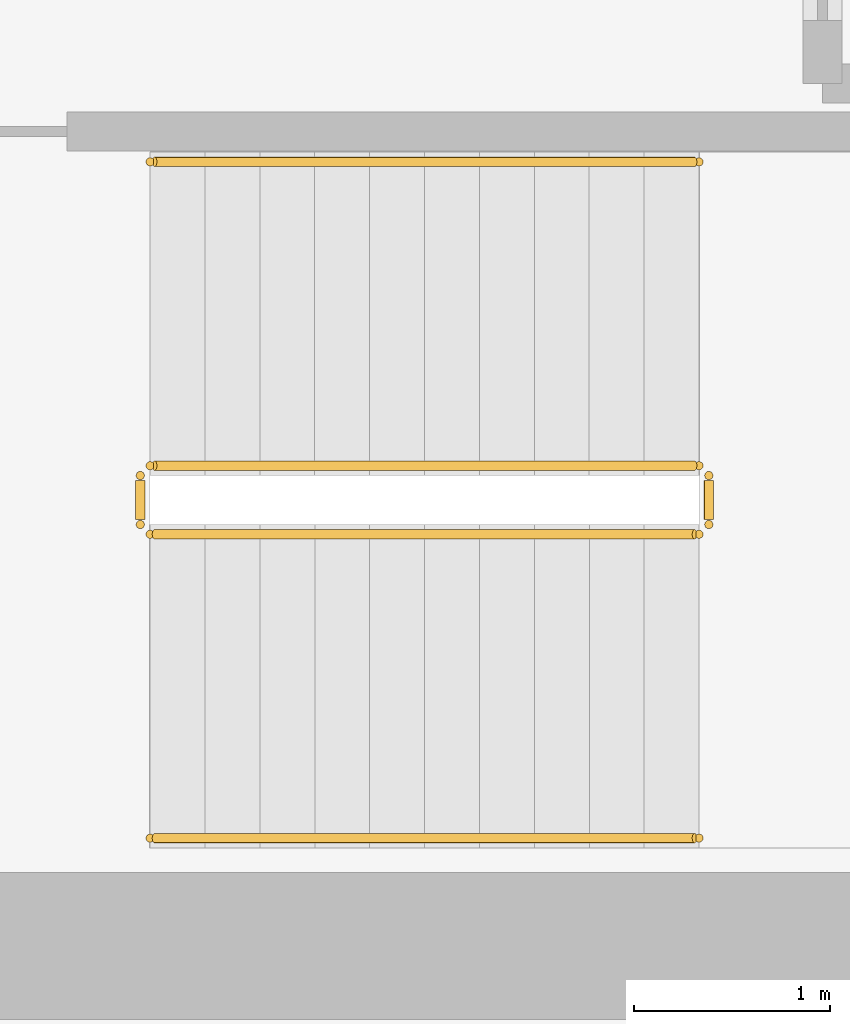
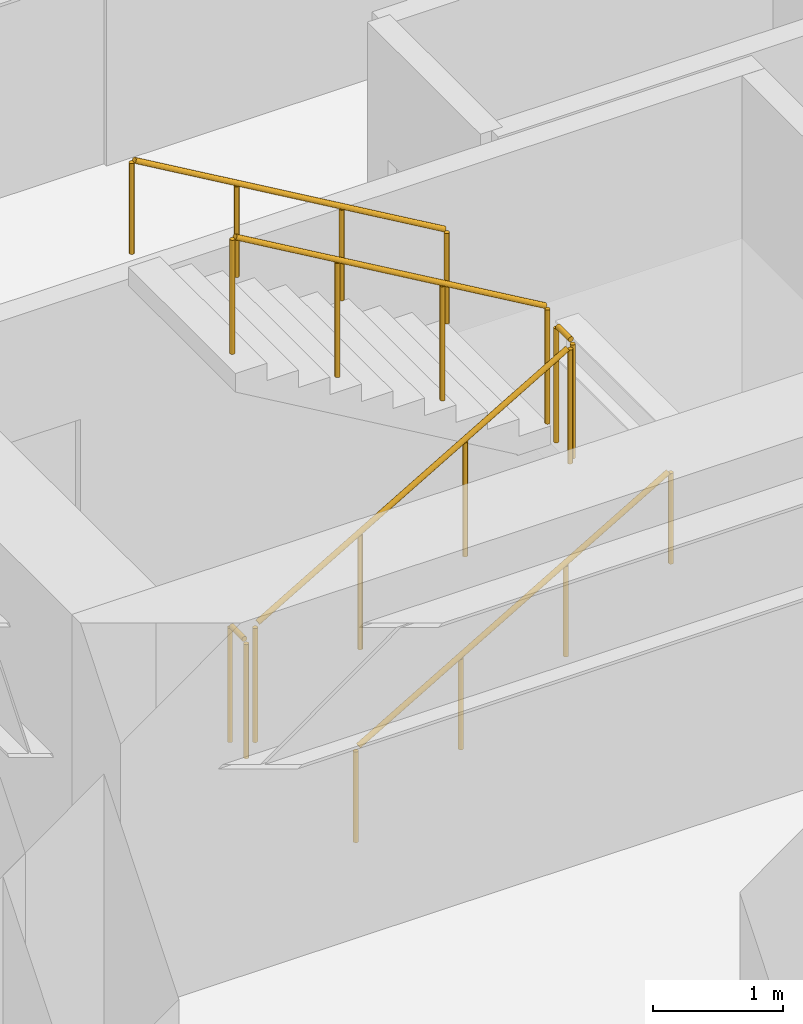
# One storey, part 12 of 12: 6 railings.
"""IFC4 building model written with IfcOpenShell, lengths in metres."""

from ifc_helpers import new_model, si_unit, direction, frame, origin, origin_2d, place, context, subcontext, project, spatial, circle, extrude, source, transform, mapped, material, layer, layer_set, type_object, element, save


model = new_model("IFC4")

# Units and contexts
model_context = context("Model", 3, precision=1e-05, world=origin(), true_north=direction((0.0, 1.0)))
body_context = subcontext(model_context, "Body", "Model", "MODEL_VIEW")
ifc_project = project(units=[si_unit("LENGTHUNIT", "METRE"), si_unit("AREAUNIT", "SQUARE_METRE"), si_unit("VOLUMEUNIT", "CUBIC_METRE"), si_unit("PLANEANGLEUNIT", "RADIAN"), si_unit("MASSUNIT", "GRAM", prefix="KILO")], contexts=[model_context])

# Site, building, storey
site_placement = place(None, origin())
site = spatial("IfcSite", under=ifc_project, at=site_placement, CompositionType="ELEMENT")
building_placement = place(site_placement, origin())
building = spatial("IfcBuilding", under=site, at=building_placement, Name="Kharzan Plaza Tower", CompositionType="ELEMENT")
storey_placement = place(building_placement, frame((0.0, 0.0, 135.0)))
storey = spatial("IfcBuildingStorey", under=building, at=storey_placement, Name="L36", CompositionType="ELEMENT", Elevation=135.0)

# Railings
ifc_material_1 = material(Name="Painted Galvanized Architectural Steel", Category="steel")
ifc_layer_1 = layer(ifc_material_1, 0.074951171875)
ifc_layer_set_1 = layer_set([ifc_layer_1], Name="Painted Galvanized Architectural Steel")
railing_type_1 = type_object("IfcRailingType", Name="RL-GUARD-1120", PredefinedType="BALUSTRADE", material=ifc_layer_set_1)
shared_shape_1 = source(origin(), body_context, "Body", "SweptSolid", [
    extrude(circle(Radius=0.02392578125, at=origin_2d()), frame((0.0, 0.0263671875, 1.09619140625), z_axis=(0.0, 1.0, 0.0), x_axis=(-1.0, 0.0, 0.0)), (0.0, 0.0, 1.0), 0.197021484375),
    extrude(circle(Radius=0.02099609375, at=origin_2d()), origin(), (0.0, 0.0, 1.0), 1.072021484375),
    extrude(circle(Radius=0.02099609375, at=origin_2d()), frame((0.0, 0.25, 0.0)), (0.0, 0.0, 1.0), 1.072021484375),
])
for number, where, name in (
    (1, (41.10009765625, 6.64990234375, 1.800048828125), "L36 ST-3 stair guard 2"),
    (2, (38.199951171875, 6.64990234375, 0.0), "L36 ST-3 stair guard 4"),
):
    element("IfcRailing", number, at=place(storey_placement, frame(where)), inside=storey, type_object=railing_type_1, Name=name, PredefinedType="BALUSTRADE", context=body_context, shape_type="MappedRepresentation", body=[
        mapped(shared_shape_1, transform((0.0, 0.0, 0.0), x_axis=(1.0, 0.0, 0.0), y_axis=(0.0, 1.0, 0.0), z_axis=(0.0, 0.0, 1.0))),
    ])
shared_shape_2 = source(origin(), body_context, "Body", "SweptSolid", [
    extrude(circle(Radius=0.02392578125, at=origin_2d()), frame((0.02294921875, 0.0, 1.109375), z_axis=(0.863360870873, 0.0, 0.504586966384), x_axis=(0.0, 1.0, 0.0)), (0.0, 0.0, 1.0), 3.190185546875),
    extrude(circle(Radius=0.02099609375, at=origin_2d()), origin(), (0.0, 0.0, 1.0), 1.072021484375),
    extrude(circle(Radius=0.02099609375, at=origin_2d()), frame((0.933349609375, 0.0, 0.54541015625)), (0.0, 0.0, 1.0), 1.072021484375),
    extrude(circle(Radius=0.02099609375, at=origin_2d()), frame((1.86669921875, 0.0, 1.091064453125)), (0.0, 0.0, 1.0), 1.072021484375),
    extrude(circle(Radius=0.02099609375, at=origin_2d()), frame((2.800048828125, 0.0, 1.636474609375)), (0.0, 0.0, 1.0), 1.072021484375),
])
railing_1_placement = place(storey_placement, frame((38.25, 6.60009765625, 0.16357421875)))
element("IfcRailing", 3, at=railing_1_placement, inside=storey, type_object=railing_type_1, Name="L36 ST-3 stair guard 1", PredefinedType="BALUSTRADE", context=body_context, shape_type="MappedRepresentation", body=[
    mapped(shared_shape_2, transform((0.0, 0.0, 0.0), x_axis=(1.0, 0.0, 0.0), y_axis=(0.0, 1.0, 0.0), z_axis=(0.0, 0.0, 1.0))),
])
shared_shape_3 = source(origin(), body_context, "Body", "SweptSolid", [
    extrude(circle(Radius=0.02392578125, at=origin_2d()), frame((-0.02294921875, 0.0, 1.109375), z_axis=(-0.863360870873, 0.0, 0.504586966384), x_axis=(0.0, -1.0, 0.0)), (0.0, 0.0, 1.0), 3.190185546875),
    extrude(circle(Radius=0.02099609375, at=origin_2d()), origin(), (0.0, 0.0, 1.0), 1.072021484375),
    extrude(circle(Radius=0.02099609375, at=origin_2d()), frame((-0.933349609375, 0.0, 0.54541015625)), (0.0, 0.0, 1.0), 1.072021484375),
    extrude(circle(Radius=0.02099609375, at=origin_2d()), frame((-1.86669921875, 0.0, 1.091064453125)), (0.0, 0.0, 1.0), 1.072021484375),
    extrude(circle(Radius=0.02099609375, at=origin_2d()), frame((-2.800048828125, 0.0, 1.636474609375)), (0.0, 0.0, 1.0), 1.072021484375),
])
railing_2_placement = place(storey_placement, frame((41.050048828125, 6.949951171875, 1.963623046875)))
element("IfcRailing", 4, at=railing_2_placement, inside=storey, type_object=railing_type_1, Name="L36 ST-3 stair guard 3", PredefinedType="BALUSTRADE", context=body_context, shape_type="MappedRepresentation", body=[
    mapped(shared_shape_3, transform((0.0, 0.0, 0.0), x_axis=(1.0, 0.0, 0.0), y_axis=(0.0, 1.0, 0.0), z_axis=(0.0, 0.0, 1.0))),
])
ifc_material_2 = material(Name="Brushed Stainless Steel", Category="steel")
ifc_layer_2 = layer(ifc_material_2, 0.050048828125)
ifc_layer_set_2 = layer_set([ifc_layer_2], Name="Brushed Stainless Steel")
railing_type_2 = type_object("IfcRailingType", Name="RL-STAIR-HR920", PredefinedType="HANDRAIL", material=ifc_layer_set_2)
shared_shape_4 = source(origin(), body_context, "Body", "SweptSolid", [
    extrude(circle(Radius=0.02392578125, at=origin_2d()), frame((0.02294921875, 0.0, 0.88916015625), z_axis=(0.863360870873, 0.0, 0.504586966384), x_axis=(0.0, 1.0, 0.0)), (0.0, 0.0, 1.0), 3.190185546875),
    extrude(circle(Radius=0.02099609375, at=origin_2d()), origin(), (0.0, 0.0, 1.0), 0.851806640625),
    extrude(circle(Radius=0.02099609375, at=origin_2d()), frame((0.933349609375, 0.0, 0.54541015625)), (0.0, 0.0, 1.0), 0.851806640625),
    extrude(circle(Radius=0.02099609375, at=origin_2d()), frame((1.86669921875, 0.0, 1.091064453125)), (0.0, 0.0, 1.0), 0.851806640625),
    extrude(circle(Radius=0.02099609375, at=origin_2d()), frame((2.800048828125, 0.0, 1.636474609375)), (0.0, 0.0, 1.0), 0.851806640625),
])
railing_3_placement = place(storey_placement, frame((38.25, 5.050048828125, 0.16357421875)))
element("IfcRailing", 5, at=railing_3_placement, inside=storey, type_object=railing_type_2, Name="L36 ST-3 stair handrail 1", PredefinedType="HANDRAIL", context=body_context, shape_type="MappedRepresentation", body=[
    mapped(shared_shape_4, transform((0.0, 0.0, 0.0), x_axis=(1.0, 0.0, 0.0), y_axis=(0.0, 1.0, 0.0), z_axis=(0.0, 0.0, 1.0))),
])
shared_shape_5 = source(origin(), body_context, "Body", "SweptSolid", [
    extrude(circle(Radius=0.02392578125, at=origin_2d()), frame((-0.02294921875, 0.0, 0.88916015625), z_axis=(-0.863360870873, 0.0, 0.504586966384), x_axis=(0.0, -1.0, 0.0)), (0.0, 0.0, 1.0), 3.190185546875),
    extrude(circle(Radius=0.02099609375, at=origin_2d()), origin(), (0.0, 0.0, 1.0), 0.851806640625),
    extrude(circle(Radius=0.02099609375, at=origin_2d()), frame((-0.933349609375, 0.0, 0.54541015625)), (0.0, 0.0, 1.0), 0.851806640625),
    extrude(circle(Radius=0.02099609375, at=origin_2d()), frame((-1.86669921875, 0.0, 1.091064453125)), (0.0, 0.0, 1.0), 0.851806640625),
    extrude(circle(Radius=0.02099609375, at=origin_2d()), frame((-2.800048828125, 0.0, 1.636474609375)), (0.0, 0.0, 1.0), 0.851806640625),
])
railing_4_placement = place(storey_placement, frame((41.050048828125, 8.5, 1.963623046875)))
element("IfcRailing", 6, at=railing_4_placement, inside=storey, type_object=railing_type_2, Name="L36 ST-3 stair handrail 2", PredefinedType="HANDRAIL", context=body_context, shape_type="MappedRepresentation", body=[
    mapped(shared_shape_5, transform((0.0, 0.0, 0.0), x_axis=(1.0, 0.0, 0.0), y_axis=(0.0, 1.0, 0.0), z_axis=(0.0, 0.0, 1.0))),
])

save(model, "model.ifc")
